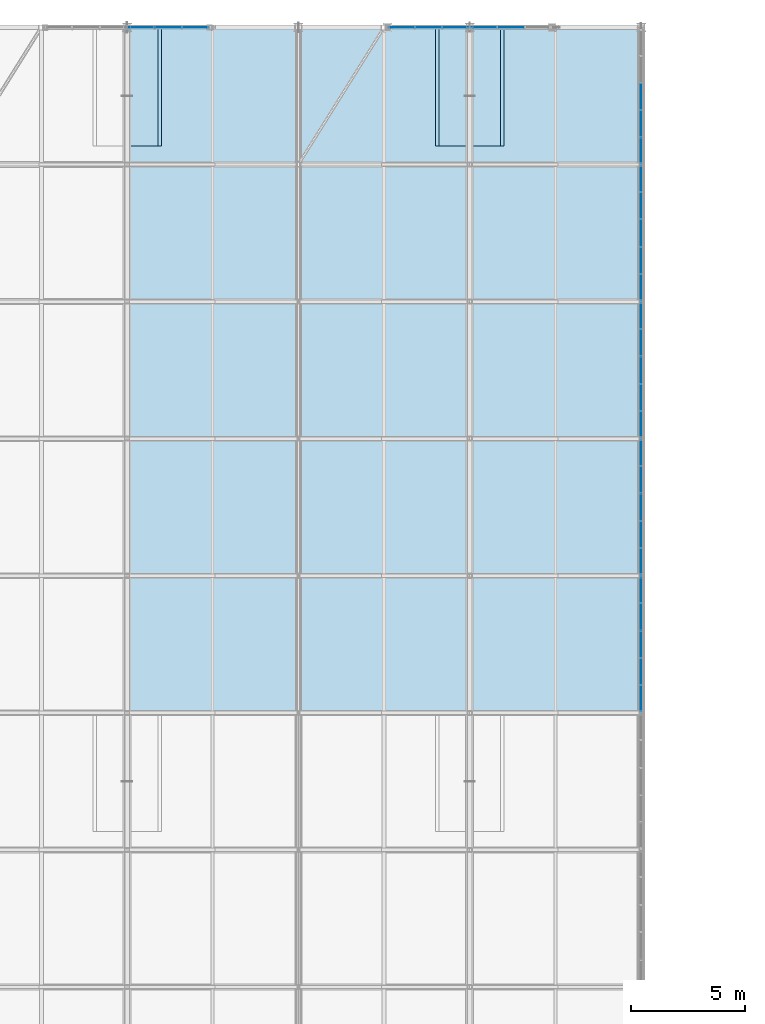
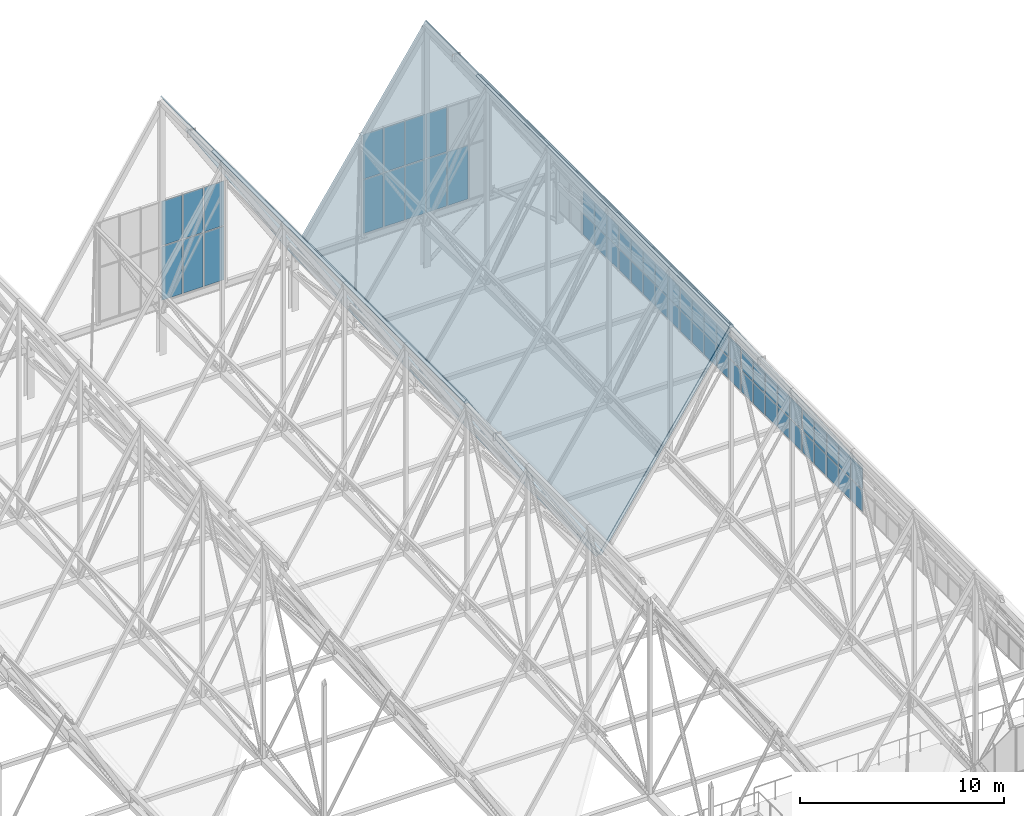
# One storey, part 286 of 324: 64 plates, 3 slabs, 7 elements without a shape of their own.
"""IFC4 building model written with IfcOpenShell, lengths in metres."""

import ifcopenshell
import ifcopenshell.guid

model = None  # the IFC model being written
_history = None  # IfcOwnerHistory: only IFC2X3 demands one
_inside = {}  # id of a spatial element -> (the spatial element, [elements in it])
_under = {}  # id of a project, library or spatial element -> (it, [spatial elements below it])
_declared = {}  # id of a project -> (the project, [libraries it declares])
_typed = {}  # id of a type object -> (the type object, [elements of that type])
_made_of = {}  # id of a material, layer set ... -> (it, [elements and type objects made of it])


def new_model(schema):
    """Start an empty IFC model of exactly this schema.

    Asked for "IFC4X3", IfcOpenShell would pick the latest addendum, in which some entities
    have other attributes; the version numbers below select the first issue.
    IFC2X3 requires an IfcOwnerHistory on every rooted entity: one is made here for all.
    """
    global model, _history
    if schema == "IFC4X3":
        model = ifcopenshell.file(schema_version=(4, 3, 0, 0))
    else:
        model = ifcopenshell.file(schema=schema)
    _inside.clear()
    _under.clear()
    _declared.clear()
    _typed.clear()
    _made_of.clear()
    _history = None
    if model.schema == "IFC2X3":
        org = make("IfcOrganization", Name="unknown")
        user = make(
            "IfcPersonAndOrganization",
            ThePerson=make("IfcPerson", FamilyName="unknown"),
            TheOrganization=org,
        )
        app = make(
            "IfcApplication",
            ApplicationDeveloper=org,
            Version="unknown",
            ApplicationFullName="unknown",
            ApplicationIdentifier="unknown",
        )
        _history = make(
            "IfcOwnerHistory",
            OwningUser=user,
            OwningApplication=app,
            ChangeAction="ADDED",
            CreationDate=0,
        )
    return model


def make(cls, **values):
    """One entity of the class cls with the attributes given. An attribute that is None is left unset."""
    return model.create_entity(
        cls, **{name: value for name, value in values.items() if value is not None}
    )


def rooted(cls, **values):
    """An entity with a GlobalId (a new one), such as an element, a storey or a relation."""
    return make(cls, GlobalId=ifcopenshell.guid.new(), OwnerHistory=_history, **values)


def si_unit(unit_type, name, prefix=None):
    """IfcSIUnit, for example si_unit("LENGTHUNIT", "METRE", prefix="MILLI")."""
    return make("IfcSIUnit", UnitType=unit_type, Prefix=prefix, Name=name)


def assignment(units):
    """IfcUnitAssignment: the units of a project."""
    return None if units is None else make("IfcUnitAssignment", Units=units)


def point(xyz):
    """IfcCartesianPoint."""
    return None if xyz is None else make("IfcCartesianPoint", Coordinates=xyz)


def direction(xyz):
    """IfcDirection."""
    return None if xyz is None else make("IfcDirection", DirectionRatios=xyz)


def frame(location, z_axis=None, x_axis=None):
    """IfcAxis2Placement3D, a coordinate frame: its origin and axes. An axis left out is left unset."""
    return make(
        "IfcAxis2Placement3D",
        Location=point(location),
        Axis=direction(z_axis),
        RefDirection=direction(x_axis),
    )


def frame_2d(location, x_axis=None):
    """IfcAxis2Placement2D, a coordinate frame in the plane: its origin and x axis."""
    return make(
        "IfcAxis2Placement2D", Location=point(location), RefDirection=direction(x_axis)
    )


def origin():
    """The frame at (0, 0, 0) with its axes left unset."""
    return frame((0.0, 0.0, 0.0))


def origin_2d():
    """The frame at (0, 0) in the plane with its x axis left unset."""
    return frame_2d((0.0, 0.0))


def place(relative_to, where):
    """IfcLocalPlacement: puts the frame where relative to a parent placement (None: the world)."""
    return make(
        "IfcLocalPlacement", PlacementRelTo=relative_to, RelativePlacement=where
    )


def context(
    kind, dimensions, precision=None, world=None, true_north=None, identifier=None
):
    """IfcGeometricRepresentationContext, for example the 3D "Model" context."""
    return make(
        "IfcGeometricRepresentationContext",
        ContextIdentifier=identifier,
        ContextType=kind,
        CoordinateSpaceDimension=dimensions,
        Precision=precision,
        WorldCoordinateSystem=world,
        TrueNorth=true_north,
    )


def subcontext(parent, identifier, kind, view, scale=None):
    """IfcGeometricRepresentationSubContext, for example "Body" below "Model"."""
    return make(
        "IfcGeometricRepresentationSubContext",
        ContextIdentifier=identifier,
        ContextType=kind,
        ParentContext=parent,
        TargetScale=scale,
        TargetView=view,
    )


def project(units=None, contexts=None):
    """IfcProject with its units and contexts."""
    return rooted(
        "IfcProject",
        Name="project",
        RepresentationContexts=contexts,
        UnitsInContext=assignment(units),
    )


def spatial(cls, under=None, at=None, **own):
    """A site, building, storey or space (cls), placed at a placement, below another one or the project."""
    s = rooted(cls, ObjectPlacement=at, **own)
    if under is not None:
        _under.setdefault(under.id(), (under, []))[1].append(s)
    return s


def polyline(points):
    """IfcPolyline through the points."""
    return make("IfcPolyline", Points=[point(p) for p in points])


def profile(cls, at=None, kind="AREA", **sizes):
    """A parametric profile (cls). Its sizes go by their IFC names, for example OverallWidth=200.0."""
    return make(cls, ProfileType=kind, Position=at, **sizes)


def rectangle(**sizes):
    """IfcRectangleProfileDef."""
    return profile("IfcRectangleProfileDef", **sizes)


def outline(outer, holes=None, kind="AREA"):
    """IfcArbitraryClosedProfileDef: a profile drawn as a closed curve; with holes, ...WithVoids."""
    if holes is None:
        return make("IfcArbitraryClosedProfileDef", ProfileType=kind, OuterCurve=outer)
    return make(
        "IfcArbitraryProfileDefWithVoids",
        ProfileType=kind,
        OuterCurve=outer,
        InnerCurves=holes,
    )


def extrude(swept, where, along, depth):
    """IfcExtrudedAreaSolid: the profile swept, set in the frame where, extruded along a direction by depth."""
    return make(
        "IfcExtrudedAreaSolid",
        SweptArea=swept,
        Position=where,
        ExtrudedDirection=direction(along),
        Depth=depth,
    )


def shape(context_of_items, identifier, shape_type, items):
    """IfcShapeRepresentation: the items that make up one representation, for example the "Body"."""
    return make(
        "IfcShapeRepresentation",
        ContextOfItems=context_of_items,
        RepresentationIdentifier=identifier,
        RepresentationType=shape_type,
        Items=items,
    )


def material(Name=None, Category=None):
    """IfcMaterial."""
    return make("IfcMaterial", Name=Name, Category=Category)


def layer(
    of_material, thickness, ventilated=None, Name=None, Category=None, Priority=None
):
    """IfcMaterialLayer: one layer of a wall or slab, of a material (None: an air gap)."""
    return make(
        "IfcMaterialLayer",
        Material=of_material,
        LayerThickness=thickness,
        IsVentilated=ventilated,
        Name=Name,
        Category=Category,
        Priority=Priority,
    )


def layer_set(layers, Name=None):
    """IfcMaterialLayerSet."""
    return make("IfcMaterialLayerSet", MaterialLayers=layers, LayerSetName=Name)


def made_of(thing, what):
    """Note that an element or type object is made of a material, layer set ...; save() writes the relation."""
    if what is not None:
        _made_of.setdefault(what.id(), (what, []))[1].append(thing)
    return thing


def type_object(cls, material=None, **own):
    """A type object (cls), such as IfcWallType, which elements share."""
    return made_of(rooted(cls, **own), material)


def element(
    cls,
    number,
    at=None,
    inside=None,
    cuts=None,
    type_object=None,
    material=None,
    context=None,
    identifier="Body",
    shape_type=None,
    held_by="IfcProductDefinitionShape",
    body=None,
    shapes=None,
    **own,
):
    """One element of the class cls, such as IfcWall. Its Tag is "e" and its number.

    at: its placement. inside: the storey or other place that contains it. cuts: it is an
    opening in that element (IfcRelVoidsElement). A single representation is given by context,
    identifier, shape_type and body (its items); several are given by shapes. held_by: the class
    of the entity that holds the representations. save() writes the other relations.
    """
    e = rooted(cls, Tag="e%d" % number, ObjectPlacement=at, **own)
    if body is not None:
        shapes = [shape(context, identifier, shape_type, body)]
    if shapes is not None:
        e.Representation = make(held_by, Representations=shapes)
    if inside is not None:
        _inside.setdefault(inside.id(), (inside, []))[1].append(e)
    if cuts is not None:
        rooted(
            "IfcRelVoidsElement", RelatingBuildingElement=cuts, RelatedOpeningElement=e
        )
    if type_object is not None:
        _typed.setdefault(type_object.id(), (type_object, []))[1].append(e)
    return made_of(e, material)


def aggregate(whole, parts):
    """IfcRelAggregates: a whole, such as a stair, and the parts it consists of."""
    return rooted("IfcRelAggregates", RelatingObject=whole, RelatedObjects=parts)


def save(model, path):
    """Write the relations noted so far, then the file.

    IfcRelAggregates (storeys below a building ...), IfcRelContainedInSpatialStructure (elements
    in a storey), IfcRelDefinesByType, IfcRelAssociatesMaterial and IfcRelDeclares: one each for
    every whole, place, type object, material and project.
    """
    for whole, parts in _under.values():
        aggregate(whole, parts)
    for where, things in _inside.values():
        rooted(
            "IfcRelContainedInSpatialStructure",
            RelatedElements=things,
            RelatingStructure=where,
        )
    for kind, things in _typed.values():
        rooted("IfcRelDefinesByType", RelatedObjects=things, RelatingType=kind)
    for what, things in _made_of.values():
        rooted("IfcRelAssociatesMaterial", RelatedObjects=things, RelatingMaterial=what)
    for by, libraries in _declared.values():
        rooted("IfcRelDeclares", RelatingContext=by, RelatedDefinitions=libraries)
    model.write(path)


model = new_model("IFC4")

# Units and contexts
model_context = context("Model", 3, precision=1e-05, world=origin(), true_north=direction((0.0, 1.0)))
body_context = subcontext(model_context, "Body", "Model", "MODEL_VIEW")
ifc_project = project(units=[si_unit("LENGTHUNIT", "METRE"), si_unit("AREAUNIT", "SQUARE_METRE"), si_unit("VOLUMEUNIT", "CUBIC_METRE"), si_unit("PLANEANGLEUNIT", "RADIAN"), si_unit("MASSUNIT", "GRAM", prefix="KILO")], contexts=[model_context])

# Site, building, storey
site_placement = place(None, origin())
site = spatial("IfcSite", under=ifc_project, at=site_placement, CompositionType="ELEMENT")
building_placement = place(site_placement, origin())
building = spatial("IfcBuilding", under=site, at=building_placement, Name="Solvenia Promenade Tram Depot", CompositionType="ELEMENT")
storey_placement = place(building_placement, frame((0.0, 0.0, 4.5)))
storey = spatial("IfcBuildingStorey", under=building, at=storey_placement, Name="L01", CompositionType="ELEMENT", Elevation=4.5)

# Curtain wall, plates
ifc_material_1 = material(Name="Anodized aluminium AW-6063 T6", Category="aluminium")
ifc_layer_1 = layer(ifc_material_1, 0.159912109375, Name="Anodized aluminium AW-6063 T6", Category="aluminium")
ifc_layer_set_1 = layer_set([ifc_layer_1], Name="Anodized aluminium AW-6063 T6")
curtain_wall_type_1 = type_object("IfcCurtainWallType", Name="CW-Channel-1200", PredefinedType="NOTDEFINED", material=ifc_layer_set_1)
curtain_wall_1_placement = place(storey_placement, origin())
curtain_wall_1 = element("IfcCurtainWall", 1, at=curtain_wall_1_placement, inside=storey, type_object=curtain_wall_type_1, Name="Curtain Wall CW-V1E-06", PredefinedType="NOTDEFINED")
ifc_material_2 = material(Name="Low-iron translucent U-profile channel glass", Category="glass")
ifc_layer_2 = layer(ifc_material_2, 0.028076171875, Name="Low-iron translucent U-profile channel glass", Category="glass")
ifc_layer_set_2 = layer_set([ifc_layer_2], Name="Low-iron translucent U-profile channel glass")
plate_type_1 = type_object("IfcPlateType", Name="CWP-Panel-1", PredefinedType="CURTAIN_PANEL", material=ifc_layer_set_2)
plate_1_placement = place(storey_placement, frame((150.0, 96.613037109375, 0.759765625), z_axis=(0.0, 0.0, 1.0), x_axis=(0.0, 1.0, 0.0)))
plate_1 = element("IfcPlate", 2, at=plate_1_placement, type_object=plate_type_1, Name="CW-1 panel 1.1", PredefinedType="CURTAIN_PANEL", context=body_context, shape_type="SweptSolid", body=[
    extrude(rectangle(XDim=1.1220703125, YDim=0.028076171875, at=origin_2d()), origin(), (0.0, 0.0, 1.0), 1.260009765625),
])
plate_2_placement = place(storey_placement, frame((150.0, 96.613037109375, 2.080078125), z_axis=(0.0, 0.0, 1.0), x_axis=(0.0, 1.0, 0.0)))
plate_2 = element("IfcPlate", 3, at=plate_2_placement, type_object=plate_type_1, Name="CW-1 panel 1.2", PredefinedType="CURTAIN_PANEL", context=body_context, shape_type="SweptSolid", body=[
    extrude(rectangle(XDim=1.1220703125, YDim=0.028076171875, at=origin_2d()), origin(), (0.0, 0.0, 1.0), 1.260009765625),
])
plate_3_placement = place(storey_placement, frame((150.0, 97.800048828125, 0.759765625), z_axis=(0.0, 0.0, 1.0), x_axis=(0.0, 1.0, 0.0)))
plate_3 = element("IfcPlate", 4, at=plate_3_placement, type_object=plate_type_1, Name="CW-1 panel 2.1", PredefinedType="CURTAIN_PANEL", context=body_context, shape_type="SweptSolid", body=[
    extrude(rectangle(XDim=1.14794921875, YDim=0.028076171875, at=origin_2d()), origin(), (0.0, 0.0, 1.0), 1.260009765625),
])
plate_4_placement = place(storey_placement, frame((150.0, 97.800048828125, 2.080078125), z_axis=(0.0, 0.0, 1.0), x_axis=(0.0, 1.0, 0.0)))
plate_4 = element("IfcPlate", 5, at=plate_4_placement, type_object=plate_type_1, Name="CW-1 panel 2.2", PredefinedType="CURTAIN_PANEL", context=body_context, shape_type="SweptSolid", body=[
    extrude(rectangle(XDim=1.14794921875, YDim=0.028076171875, at=origin_2d()), origin(), (0.0, 0.0, 1.0), 1.260009765625),
])
plate_5_placement = place(storey_placement, frame((150.0, 99.0, 0.759765625), z_axis=(0.0, 0.0, 1.0), x_axis=(0.0, 1.0, 0.0)))
plate_5 = element("IfcPlate", 6, at=plate_5_placement, type_object=plate_type_1, Name="CW-1 panel 3.1", PredefinedType="CURTAIN_PANEL", context=body_context, shape_type="SweptSolid", body=[
    extrude(rectangle(XDim=1.14794921875, YDim=0.028076171875, at=origin_2d()), origin(), (0.0, 0.0, 1.0), 1.260009765625),
])
plate_6_placement = place(storey_placement, frame((150.0, 99.0, 2.080078125), z_axis=(0.0, 0.0, 1.0), x_axis=(0.0, 1.0, 0.0)))
plate_6 = element("IfcPlate", 7, at=plate_6_placement, type_object=plate_type_1, Name="CW-1 panel 3.2", PredefinedType="CURTAIN_PANEL", context=body_context, shape_type="SweptSolid", body=[
    extrude(rectangle(XDim=1.14794921875, YDim=0.028076171875, at=origin_2d()), origin(), (0.0, 0.0, 1.0), 1.260009765625),
])
plate_7_placement = place(storey_placement, frame((150.0, 100.199951171875, 0.759765625), z_axis=(0.0, 0.0, 1.0), x_axis=(0.0, 1.0, 0.0)))
plate_7 = element("IfcPlate", 8, at=plate_7_placement, type_object=plate_type_1, Name="CW-1 panel 4.1", PredefinedType="CURTAIN_PANEL", context=body_context, shape_type="SweptSolid", body=[
    extrude(rectangle(XDim=1.14794921875, YDim=0.028076171875, at=origin_2d()), origin(), (0.0, 0.0, 1.0), 1.260009765625),
])
plate_8_placement = place(storey_placement, frame((150.0, 100.199951171875, 2.080078125), z_axis=(0.0, 0.0, 1.0), x_axis=(0.0, 1.0, 0.0)))
plate_8 = element("IfcPlate", 9, at=plate_8_placement, type_object=plate_type_1, Name="CW-1 panel 4.2", PredefinedType="CURTAIN_PANEL", context=body_context, shape_type="SweptSolid", body=[
    extrude(rectangle(XDim=1.14794921875, YDim=0.028076171875, at=origin_2d()), origin(), (0.0, 0.0, 1.0), 1.260009765625),
])
plate_9_placement = place(storey_placement, frame((150.0, 101.386962890625, 0.759765625), z_axis=(0.0, 0.0, 1.0), x_axis=(0.0, 1.0, 0.0)))
plate_9 = element("IfcPlate", 10, at=plate_9_placement, type_object=plate_type_1, Name="CW-1 panel 5.1", PredefinedType="CURTAIN_PANEL", context=body_context, shape_type="SweptSolid", body=[
    extrude(rectangle(XDim=1.1220703125, YDim=0.028076171875, at=origin_2d()), origin(), (0.0, 0.0, 1.0), 1.260009765625),
])
plate_10_placement = place(storey_placement, frame((150.0, 101.386962890625, 2.080078125), z_axis=(0.0, 0.0, 1.0), x_axis=(0.0, 1.0, 0.0)))
plate_10 = element("IfcPlate", 11, at=plate_10_placement, type_object=plate_type_1, Name="CW-1 panel 5.2", PredefinedType="CURTAIN_PANEL", context=body_context, shape_type="SweptSolid", body=[
    extrude(rectangle(XDim=1.1220703125, YDim=0.028076171875, at=origin_2d()), origin(), (0.0, 0.0, 1.0), 1.260009765625),
])
aggregate(curtain_wall_1, [plate_1, plate_2, plate_3, plate_4, plate_5, plate_6, plate_7, plate_8, plate_9, plate_10])

curtain_wall_2_placement = place(storey_placement, origin())
curtain_wall_2 = element("IfcCurtainWall", 12, at=curtain_wall_2_placement, inside=storey, type_object=curtain_wall_type_1, Name="Curtain Wall CW-V1E-07", PredefinedType="NOTDEFINED")
plate_11_placement = place(storey_placement, frame((150.0, 102.613037109375, 0.759765625), z_axis=(0.0, 0.0, 1.0), x_axis=(0.0, 1.0, 0.0)))
plate_11 = element("IfcPlate", 13, at=plate_11_placement, type_object=plate_type_1, Name="CW-1 panel 1.1", PredefinedType="CURTAIN_PANEL", context=body_context, shape_type="SweptSolid", body=[
    extrude(rectangle(XDim=1.1220703125, YDim=0.028076171875, at=origin_2d()), origin(), (0.0, 0.0, 1.0), 1.260009765625),
])
plate_12_placement = place(storey_placement, frame((150.0, 102.613037109375, 2.080078125), z_axis=(0.0, 0.0, 1.0), x_axis=(0.0, 1.0, 0.0)))
plate_12 = element("IfcPlate", 14, at=plate_12_placement, type_object=plate_type_1, Name="CW-1 panel 1.2", PredefinedType="CURTAIN_PANEL", context=body_context, shape_type="SweptSolid", body=[
    extrude(rectangle(XDim=1.1220703125, YDim=0.028076171875, at=origin_2d()), origin(), (0.0, 0.0, 1.0), 1.260009765625),
])
plate_13_placement = place(storey_placement, frame((150.0, 103.800048828125, 0.759765625), z_axis=(0.0, 0.0, 1.0), x_axis=(0.0, 1.0, 0.0)))
plate_13 = element("IfcPlate", 15, at=plate_13_placement, type_object=plate_type_1, Name="CW-1 panel 2.1", PredefinedType="CURTAIN_PANEL", context=body_context, shape_type="SweptSolid", body=[
    extrude(rectangle(XDim=1.14794921875, YDim=0.028076171875, at=origin_2d()), origin(), (0.0, 0.0, 1.0), 1.260009765625),
])
plate_14_placement = place(storey_placement, frame((150.0, 103.800048828125, 2.080078125), z_axis=(0.0, 0.0, 1.0), x_axis=(0.0, 1.0, 0.0)))
plate_14 = element("IfcPlate", 16, at=plate_14_placement, type_object=plate_type_1, Name="CW-1 panel 2.2", PredefinedType="CURTAIN_PANEL", context=body_context, shape_type="SweptSolid", body=[
    extrude(rectangle(XDim=1.14794921875, YDim=0.028076171875, at=origin_2d()), origin(), (0.0, 0.0, 1.0), 1.260009765625),
])
plate_15_placement = place(storey_placement, frame((150.0, 105.0, 0.759765625), z_axis=(0.0, 0.0, 1.0), x_axis=(0.0, 1.0, 0.0)))
plate_15 = element("IfcPlate", 17, at=plate_15_placement, type_object=plate_type_1, Name="CW-1 panel 3.1", PredefinedType="CURTAIN_PANEL", context=body_context, shape_type="SweptSolid", body=[
    extrude(rectangle(XDim=1.14794921875, YDim=0.028076171875, at=origin_2d()), origin(), (0.0, 0.0, 1.0), 1.260009765625),
])
plate_16_placement = place(storey_placement, frame((150.0, 105.0, 2.080078125), z_axis=(0.0, 0.0, 1.0), x_axis=(0.0, 1.0, 0.0)))
plate_16 = element("IfcPlate", 18, at=plate_16_placement, type_object=plate_type_1, Name="CW-1 panel 3.2", PredefinedType="CURTAIN_PANEL", context=body_context, shape_type="SweptSolid", body=[
    extrude(rectangle(XDim=1.14794921875, YDim=0.028076171875, at=origin_2d()), origin(), (0.0, 0.0, 1.0), 1.260009765625),
])
plate_17_placement = place(storey_placement, frame((150.0, 106.199951171875, 0.759765625), z_axis=(0.0, 0.0, 1.0), x_axis=(0.0, 1.0, 0.0)))
plate_17 = element("IfcPlate", 19, at=plate_17_placement, type_object=plate_type_1, Name="CW-1 panel 4.1", PredefinedType="CURTAIN_PANEL", context=body_context, shape_type="SweptSolid", body=[
    extrude(rectangle(XDim=1.14794921875, YDim=0.028076171875, at=origin_2d()), origin(), (0.0, 0.0, 1.0), 1.260009765625),
])
plate_18_placement = place(storey_placement, frame((150.0, 106.199951171875, 2.080078125), z_axis=(0.0, 0.0, 1.0), x_axis=(0.0, 1.0, 0.0)))
plate_18 = element("IfcPlate", 20, at=plate_18_placement, type_object=plate_type_1, Name="CW-1 panel 4.2", PredefinedType="CURTAIN_PANEL", context=body_context, shape_type="SweptSolid", body=[
    extrude(rectangle(XDim=1.14794921875, YDim=0.028076171875, at=origin_2d()), origin(), (0.0, 0.0, 1.0), 1.260009765625),
])
plate_19_placement = place(storey_placement, frame((150.0, 107.386962890625, 0.759765625), z_axis=(0.0, 0.0, 1.0), x_axis=(0.0, 1.0, 0.0)))
plate_19 = element("IfcPlate", 21, at=plate_19_placement, type_object=plate_type_1, Name="CW-1 panel 5.1", PredefinedType="CURTAIN_PANEL", context=body_context, shape_type="SweptSolid", body=[
    extrude(rectangle(XDim=1.1220703125, YDim=0.028076171875, at=origin_2d()), origin(), (0.0, 0.0, 1.0), 1.260009765625),
])
plate_20_placement = place(storey_placement, frame((150.0, 107.386962890625, 2.080078125), z_axis=(0.0, 0.0, 1.0), x_axis=(0.0, 1.0, 0.0)))
plate_20 = element("IfcPlate", 22, at=plate_20_placement, type_object=plate_type_1, Name="CW-1 panel 5.2", PredefinedType="CURTAIN_PANEL", context=body_context, shape_type="SweptSolid", body=[
    extrude(rectangle(XDim=1.1220703125, YDim=0.028076171875, at=origin_2d()), origin(), (0.0, 0.0, 1.0), 1.260009765625),
])
aggregate(curtain_wall_2, [plate_11, plate_12, plate_13, plate_14, plate_15, plate_16, plate_17, plate_18, plate_19, plate_20])

curtain_wall_3_placement = place(storey_placement, origin())
curtain_wall_3 = element("IfcCurtainWall", 23, at=curtain_wall_3_placement, inside=storey, type_object=curtain_wall_type_1, Name="Curtain Wall CW-V1E-08", PredefinedType="NOTDEFINED")
plate_21_placement = place(storey_placement, frame((150.0, 108.613037109375, 0.759765625), z_axis=(0.0, 0.0, 1.0), x_axis=(0.0, 1.0, 0.0)))
plate_21 = element("IfcPlate", 24, at=plate_21_placement, type_object=plate_type_1, Name="CW-1 panel 1.1", PredefinedType="CURTAIN_PANEL", context=body_context, shape_type="SweptSolid", body=[
    extrude(rectangle(XDim=1.1220703125, YDim=0.028076171875, at=origin_2d()), origin(), (0.0, 0.0, 1.0), 1.260009765625),
])
plate_22_placement = place(storey_placement, frame((150.0, 108.613037109375, 2.080078125), z_axis=(0.0, 0.0, 1.0), x_axis=(0.0, 1.0, 0.0)))
plate_22 = element("IfcPlate", 25, at=plate_22_placement, type_object=plate_type_1, Name="CW-1 panel 1.2", PredefinedType="CURTAIN_PANEL", context=body_context, shape_type="SweptSolid", body=[
    extrude(rectangle(XDim=1.1220703125, YDim=0.028076171875, at=origin_2d()), origin(), (0.0, 0.0, 1.0), 1.260009765625),
])
plate_23_placement = place(storey_placement, frame((150.0, 109.800048828125, 0.759765625), z_axis=(0.0, 0.0, 1.0), x_axis=(0.0, 1.0, 0.0)))
plate_23 = element("IfcPlate", 26, at=plate_23_placement, type_object=plate_type_1, Name="CW-1 panel 2.1", PredefinedType="CURTAIN_PANEL", context=body_context, shape_type="SweptSolid", body=[
    extrude(rectangle(XDim=1.14794921875, YDim=0.028076171875, at=origin_2d()), origin(), (0.0, 0.0, 1.0), 1.260009765625),
])
plate_24_placement = place(storey_placement, frame((150.0, 109.800048828125, 2.080078125), z_axis=(0.0, 0.0, 1.0), x_axis=(0.0, 1.0, 0.0)))
plate_24 = element("IfcPlate", 27, at=plate_24_placement, type_object=plate_type_1, Name="CW-1 panel 2.2", PredefinedType="CURTAIN_PANEL", context=body_context, shape_type="SweptSolid", body=[
    extrude(rectangle(XDim=1.14794921875, YDim=0.028076171875, at=origin_2d()), origin(), (0.0, 0.0, 1.0), 1.260009765625),
])
plate_25_placement = place(storey_placement, frame((150.0, 111.0, 0.759765625), z_axis=(0.0, 0.0, 1.0), x_axis=(0.0, 1.0, 0.0)))
plate_25 = element("IfcPlate", 28, at=plate_25_placement, type_object=plate_type_1, Name="CW-1 panel 3.1", PredefinedType="CURTAIN_PANEL", context=body_context, shape_type="SweptSolid", body=[
    extrude(rectangle(XDim=1.14794921875, YDim=0.028076171875, at=origin_2d()), origin(), (0.0, 0.0, 1.0), 1.260009765625),
])
plate_26_placement = place(storey_placement, frame((150.0, 111.0, 2.080078125), z_axis=(0.0, 0.0, 1.0), x_axis=(0.0, 1.0, 0.0)))
plate_26 = element("IfcPlate", 29, at=plate_26_placement, type_object=plate_type_1, Name="CW-1 panel 3.2", PredefinedType="CURTAIN_PANEL", context=body_context, shape_type="SweptSolid", body=[
    extrude(rectangle(XDim=1.14794921875, YDim=0.028076171875, at=origin_2d()), origin(), (0.0, 0.0, 1.0), 1.260009765625),
])
plate_27_placement = place(storey_placement, frame((150.0, 112.199951171875, 0.759765625), z_axis=(0.0, 0.0, 1.0), x_axis=(0.0, 1.0, 0.0)))
plate_27 = element("IfcPlate", 30, at=plate_27_placement, type_object=plate_type_1, Name="CW-1 panel 4.1", PredefinedType="CURTAIN_PANEL", context=body_context, shape_type="SweptSolid", body=[
    extrude(rectangle(XDim=1.14794921875, YDim=0.028076171875, at=origin_2d()), origin(), (0.0, 0.0, 1.0), 1.260009765625),
])
plate_28_placement = place(storey_placement, frame((150.0, 112.199951171875, 2.080078125), z_axis=(0.0, 0.0, 1.0), x_axis=(0.0, 1.0, 0.0)))
plate_28 = element("IfcPlate", 31, at=plate_28_placement, type_object=plate_type_1, Name="CW-1 panel 4.2", PredefinedType="CURTAIN_PANEL", context=body_context, shape_type="SweptSolid", body=[
    extrude(rectangle(XDim=1.14794921875, YDim=0.028076171875, at=origin_2d()), origin(), (0.0, 0.0, 1.0), 1.260009765625),
])
plate_29_placement = place(storey_placement, frame((150.0, 113.386962890625, 0.759765625), z_axis=(0.0, 0.0, 1.0), x_axis=(0.0, 1.0, 0.0)))
plate_29 = element("IfcPlate", 32, at=plate_29_placement, type_object=plate_type_1, Name="CW-1 panel 5.1", PredefinedType="CURTAIN_PANEL", context=body_context, shape_type="SweptSolid", body=[
    extrude(rectangle(XDim=1.1220703125, YDim=0.028076171875, at=origin_2d()), origin(), (0.0, 0.0, 1.0), 1.260009765625),
])
plate_30_placement = place(storey_placement, frame((150.0, 113.386962890625, 2.080078125), z_axis=(0.0, 0.0, 1.0), x_axis=(0.0, 1.0, 0.0)))
plate_30 = element("IfcPlate", 33, at=plate_30_placement, type_object=plate_type_1, Name="CW-1 panel 5.2", PredefinedType="CURTAIN_PANEL", context=body_context, shape_type="SweptSolid", body=[
    extrude(rectangle(XDim=1.1220703125, YDim=0.028076171875, at=origin_2d()), origin(), (0.0, 0.0, 1.0), 1.260009765625),
])
aggregate(curtain_wall_3, [plate_21, plate_22, plate_23, plate_24, plate_25, plate_26, plate_27, plate_28, plate_29, plate_30])

curtain_wall_4_placement = place(storey_placement, origin())
curtain_wall_4 = element("IfcCurtainWall", 34, at=curtain_wall_4_placement, inside=storey, type_object=curtain_wall_type_1, Name="Curtain Wall CW-V1E-09", PredefinedType="NOTDEFINED")
plate_31_placement = place(storey_placement, frame((150.0, 114.613037109375, 0.759765625), z_axis=(0.0, 0.0, 1.0), x_axis=(0.0, 1.0, 0.0)))
plate_31 = element("IfcPlate", 35, at=plate_31_placement, type_object=plate_type_1, Name="CW-1 panel 1.1", PredefinedType="CURTAIN_PANEL", context=body_context, shape_type="SweptSolid", body=[
    extrude(rectangle(XDim=1.1220703125, YDim=0.028076171875, at=origin_2d()), origin(), (0.0, 0.0, 1.0), 1.260009765625),
])
plate_32_placement = place(storey_placement, frame((150.0, 114.613037109375, 2.080078125), z_axis=(0.0, 0.0, 1.0), x_axis=(0.0, 1.0, 0.0)))
plate_32 = element("IfcPlate", 36, at=plate_32_placement, type_object=plate_type_1, Name="CW-1 panel 1.2", PredefinedType="CURTAIN_PANEL", context=body_context, shape_type="SweptSolid", body=[
    extrude(rectangle(XDim=1.1220703125, YDim=0.028076171875, at=origin_2d()), origin(), (0.0, 0.0, 1.0), 1.260009765625),
])
plate_33_placement = place(storey_placement, frame((150.0, 115.800048828125, 0.759765625), z_axis=(0.0, 0.0, 1.0), x_axis=(0.0, 1.0, 0.0)))
plate_33 = element("IfcPlate", 37, at=plate_33_placement, type_object=plate_type_1, Name="CW-1 panel 2.1", PredefinedType="CURTAIN_PANEL", context=body_context, shape_type="SweptSolid", body=[
    extrude(rectangle(XDim=1.14794921875, YDim=0.028076171875, at=origin_2d()), origin(), (0.0, 0.0, 1.0), 1.260009765625),
])
plate_34_placement = place(storey_placement, frame((150.0, 115.800048828125, 2.080078125), z_axis=(0.0, 0.0, 1.0), x_axis=(0.0, 1.0, 0.0)))
plate_34 = element("IfcPlate", 38, at=plate_34_placement, type_object=plate_type_1, Name="CW-1 panel 2.2", PredefinedType="CURTAIN_PANEL", context=body_context, shape_type="SweptSolid", body=[
    extrude(rectangle(XDim=1.14794921875, YDim=0.028076171875, at=origin_2d()), origin(), (0.0, 0.0, 1.0), 1.260009765625),
])
plate_35_placement = place(storey_placement, frame((150.0, 117.0, 0.759765625), z_axis=(0.0, 0.0, 1.0), x_axis=(0.0, 1.0, 0.0)))
plate_35 = element("IfcPlate", 39, at=plate_35_placement, type_object=plate_type_1, Name="CW-1 panel 3.1", PredefinedType="CURTAIN_PANEL", context=body_context, shape_type="SweptSolid", body=[
    extrude(rectangle(XDim=1.14794921875, YDim=0.028076171875, at=origin_2d()), origin(), (0.0, 0.0, 1.0), 1.260009765625),
])
plate_36_placement = place(storey_placement, frame((150.0, 117.0, 2.080078125), z_axis=(0.0, 0.0, 1.0), x_axis=(0.0, 1.0, 0.0)))
plate_36 = element("IfcPlate", 40, at=plate_36_placement, type_object=plate_type_1, Name="CW-1 panel 3.2", PredefinedType="CURTAIN_PANEL", context=body_context, shape_type="SweptSolid", body=[
    extrude(rectangle(XDim=1.14794921875, YDim=0.028076171875, at=origin_2d()), origin(), (0.0, 0.0, 1.0), 1.260009765625),
])
plate_37_placement = place(storey_placement, frame((150.0, 118.199951171875, 0.759765625), z_axis=(0.0, 0.0, 1.0), x_axis=(0.0, 1.0, 0.0)))
plate_37 = element("IfcPlate", 41, at=plate_37_placement, type_object=plate_type_1, Name="CW-1 panel 4.1", PredefinedType="CURTAIN_PANEL", context=body_context, shape_type="SweptSolid", body=[
    extrude(rectangle(XDim=1.14794921875, YDim=0.028076171875, at=origin_2d()), origin(), (0.0, 0.0, 1.0), 1.260009765625),
])
plate_38_placement = place(storey_placement, frame((150.0, 118.199951171875, 2.080078125), z_axis=(0.0, 0.0, 1.0), x_axis=(0.0, 1.0, 0.0)))
plate_38 = element("IfcPlate", 42, at=plate_38_placement, type_object=plate_type_1, Name="CW-1 panel 4.2", PredefinedType="CURTAIN_PANEL", context=body_context, shape_type="SweptSolid", body=[
    extrude(rectangle(XDim=1.14794921875, YDim=0.028076171875, at=origin_2d()), origin(), (0.0, 0.0, 1.0), 1.260009765625),
])
plate_39_placement = place(storey_placement, frame((150.0, 119.386962890625, 0.759765625), z_axis=(0.0, 0.0, 1.0), x_axis=(0.0, 1.0, 0.0)))
plate_39 = element("IfcPlate", 43, at=plate_39_placement, type_object=plate_type_1, Name="CW-1 panel 5.1", PredefinedType="CURTAIN_PANEL", context=body_context, shape_type="SweptSolid", body=[
    extrude(rectangle(XDim=1.1220703125, YDim=0.028076171875, at=origin_2d()), origin(), (0.0, 0.0, 1.0), 1.260009765625),
])
plate_40_placement = place(storey_placement, frame((150.0, 119.386962890625, 2.080078125), z_axis=(0.0, 0.0, 1.0), x_axis=(0.0, 1.0, 0.0)))
plate_40 = element("IfcPlate", 44, at=plate_40_placement, type_object=plate_type_1, Name="CW-1 panel 5.2", PredefinedType="CURTAIN_PANEL", context=body_context, shape_type="SweptSolid", body=[
    extrude(rectangle(XDim=1.1220703125, YDim=0.028076171875, at=origin_2d()), origin(), (0.0, 0.0, 1.0), 1.260009765625),
])
aggregate(curtain_wall_4, [plate_31, plate_32, plate_33, plate_34, plate_35, plate_36, plate_37, plate_38, plate_39, plate_40])

ifc_layer_3 = layer(ifc_material_1, 0.14990234375, Name="Anodized aluminium AW-6063 T6", Category="aluminium")
ifc_layer_set_3 = layer_set([ifc_layer_3], Name="Anodized aluminium AW-6063 T6")
curtain_wall_type_2 = type_object("IfcCurtainWallType", Name="CW-Gable-1200", PredefinedType="NOTDEFINED", material=ifc_layer_set_3)
curtain_wall_5_placement = place(storey_placement, origin())
curtain_wall_5 = element("IfcCurtainWall", 45, at=curtain_wall_5_placement, inside=storey, type_object=curtain_wall_type_2, Name="North Zigzag Gable 09 Peak Glazing", PredefinedType="NOTDEFINED")
plate_41_placement = place(storey_placement, frame((128.10009765625, 126.0, 3.157958984375), z_axis=(0.0, 0.0, 1.0), x_axis=(1.0, 0.0, 0.0)))
plate_41 = element("IfcPlate", 46, at=plate_41_placement, type_object=plate_type_1, Name="CW-3 panel 4.1", PredefinedType="CURTAIN_PANEL", context=body_context, shape_type="SweptSolid", body=[
    extrude(rectangle(XDim=1.152099609375, YDim=0.028076171875, at=origin_2d()), origin(), (0.0, 0.0, 1.0), 3.212890625),
])
plate_42_placement = place(storey_placement, frame((128.10009765625, 126.0, 6.428955078125), z_axis=(0.0, 0.0, 1.0), x_axis=(1.0, 0.0, 0.0)))
plate_42 = element("IfcPlate", 47, at=plate_42_placement, type_object=plate_type_1, Name="CW-3 panel 4.2", PredefinedType="CURTAIN_PANEL", context=body_context, shape_type="SweptSolid", body=[
    extrude(rectangle(XDim=1.152099609375, YDim=0.028076171875, at=origin_2d()), origin(), (0.0, 0.0, 1.0), 2.6630859375),
])
plate_43_placement = place(storey_placement, frame((129.300048828125, 126.0, 3.157958984375), z_axis=(0.0, 0.0, 1.0), x_axis=(1.0, 0.0, 0.0)))
plate_43 = element("IfcPlate", 48, at=plate_43_placement, type_object=plate_type_1, Name="CW-3 panel 5.1", PredefinedType="CURTAIN_PANEL", context=body_context, shape_type="SweptSolid", body=[
    extrude(rectangle(XDim=1.152099609375, YDim=0.028076171875, at=origin_2d()), origin(), (0.0, 0.0, 1.0), 3.212890625),
])
plate_44_placement = place(storey_placement, frame((129.300048828125, 126.0, 6.428955078125), z_axis=(0.0, 0.0, 1.0), x_axis=(1.0, 0.0, 0.0)))
plate_44 = element("IfcPlate", 49, at=plate_44_placement, type_object=plate_type_1, Name="CW-3 panel 5.2", PredefinedType="CURTAIN_PANEL", context=body_context, shape_type="SweptSolid", body=[
    extrude(rectangle(XDim=1.152099609375, YDim=0.028076171875, at=origin_2d()), origin(), (0.0, 0.0, 1.0), 2.6630859375),
])
plate_45_placement = place(storey_placement, frame((130.488037109375, 126.0, 3.157958984375), z_axis=(0.0, 0.0, 1.0), x_axis=(1.0, 0.0, 0.0)))
plate_45 = element("IfcPlate", 50, at=plate_45_placement, type_object=plate_type_1, Name="CW-3 panel 6.1", PredefinedType="CURTAIN_PANEL", context=body_context, shape_type="SweptSolid", body=[
    extrude(rectangle(XDim=1.1279296875, YDim=0.028076171875, at=origin_2d()), origin(), (0.0, 0.0, 1.0), 3.212890625),
])
plate_46_placement = place(storey_placement, frame((130.488037109375, 126.0, 6.428955078125), z_axis=(0.0, 0.0, 1.0), x_axis=(1.0, 0.0, 0.0)))
plate_46 = element("IfcPlate", 51, at=plate_46_placement, type_object=plate_type_1, Name="CW-3 panel 6.2", PredefinedType="CURTAIN_PANEL", context=body_context, shape_type="SweptSolid", body=[
    extrude(rectangle(XDim=1.1279296875, YDim=0.028076171875, at=origin_2d()), origin(), (0.0, 0.0, 1.0), 2.6630859375),
])
aggregate(curtain_wall_5, [plate_41, plate_42, plate_43, plate_44, plate_45, plate_46])

curtain_wall_6_placement = place(storey_placement, origin())
curtain_wall_6 = element("IfcCurtainWall", 52, at=curtain_wall_6_placement, inside=storey, type_object=curtain_wall_type_1, Name="Curtain Wall CW-V1E-10", PredefinedType="NOTDEFINED")
plate_47_placement = place(storey_placement, frame((150.0, 120.60498046875, 0.759765625), z_axis=(0.0, 0.0, 1.0), x_axis=(0.0, 1.0, 0.0)))
plate_47 = element("IfcPlate", 53, at=plate_47_placement, type_object=plate_type_1, Name="CW-1 panel 1.1", PredefinedType="CURTAIN_PANEL", context=body_context, shape_type="SweptSolid", body=[
    extrude(rectangle(XDim=1.10595703125, YDim=0.028076171875, at=origin_2d()), origin(), (0.0, 0.0, 1.0), 1.260009765625),
])
plate_48_placement = place(storey_placement, frame((150.0, 120.60498046875, 2.080078125), z_axis=(0.0, 0.0, 1.0), x_axis=(0.0, 1.0, 0.0)))
plate_48 = element("IfcPlate", 54, at=plate_48_placement, type_object=plate_type_1, Name="CW-1 panel 1.2", PredefinedType="CURTAIN_PANEL", context=body_context, shape_type="SweptSolid", body=[
    extrude(rectangle(XDim=1.10595703125, YDim=0.028076171875, at=origin_2d()), origin(), (0.0, 0.0, 1.0), 1.260009765625),
])
plate_49_placement = place(storey_placement, frame((150.0, 121.77587890625, 0.759765625), z_axis=(0.0, 0.0, 1.0), x_axis=(0.0, 1.0, 0.0)))
plate_49 = element("IfcPlate", 55, at=plate_49_placement, type_object=plate_type_1, Name="CW-1 panel 2.1", PredefinedType="CURTAIN_PANEL", context=body_context, shape_type="SweptSolid", body=[
    extrude(rectangle(XDim=1.132080078125, YDim=0.028076171875, at=origin_2d()), origin(), (0.0, 0.0, 1.0), 1.260009765625),
])
plate_50_placement = place(storey_placement, frame((150.0, 121.77587890625, 2.080078125), z_axis=(0.0, 0.0, 1.0), x_axis=(0.0, 1.0, 0.0)))
plate_50 = element("IfcPlate", 56, at=plate_50_placement, type_object=plate_type_1, Name="CW-1 panel 2.2", PredefinedType="CURTAIN_PANEL", context=body_context, shape_type="SweptSolid", body=[
    extrude(rectangle(XDim=1.132080078125, YDim=0.028076171875, at=origin_2d()), origin(), (0.0, 0.0, 1.0), 1.260009765625),
])
plate_51_placement = place(storey_placement, frame((150.0, 122.9599609375, 0.759765625), z_axis=(0.0, 0.0, 1.0), x_axis=(0.0, 1.0, 0.0)))
plate_51 = element("IfcPlate", 57, at=plate_51_placement, type_object=plate_type_1, Name="CW-1 panel 3.1", PredefinedType="CURTAIN_PANEL", context=body_context, shape_type="SweptSolid", body=[
    extrude(rectangle(XDim=1.132080078125, YDim=0.028076171875, at=origin_2d()), origin(), (0.0, 0.0, 1.0), 1.260009765625),
])
plate_52_placement = place(storey_placement, frame((150.0, 122.9599609375, 2.080078125), z_axis=(0.0, 0.0, 1.0), x_axis=(0.0, 1.0, 0.0)))
plate_52 = element("IfcPlate", 58, at=plate_52_placement, type_object=plate_type_1, Name="CW-1 panel 3.2", PredefinedType="CURTAIN_PANEL", context=body_context, shape_type="SweptSolid", body=[
    extrude(rectangle(XDim=1.132080078125, YDim=0.028076171875, at=origin_2d()), origin(), (0.0, 0.0, 1.0), 1.260009765625),
])
aggregate(curtain_wall_6, [plate_47, plate_48, plate_49, plate_50, plate_51, plate_52])

curtain_wall_7_placement = place(storey_placement, origin())
curtain_wall_7 = element("IfcCurtainWall", 59, at=curtain_wall_7_placement, inside=storey, type_object=curtain_wall_type_2, Name="North Zigzag Gable 10 Peak Glazing", PredefinedType="NOTDEFINED")
plate_53_placement = place(storey_placement, frame((139.511962890625, 126.0, 3.157958984375), z_axis=(0.0, 0.0, 1.0), x_axis=(1.0, 0.0, 0.0)))
plate_53 = element("IfcPlate", 60, at=plate_53_placement, type_object=plate_type_1, Name="CW-3 panel 1.1", PredefinedType="CURTAIN_PANEL", context=body_context, shape_type="SweptSolid", body=[
    extrude(rectangle(XDim=1.1279296875, YDim=0.028076171875, at=origin_2d()), origin(), (0.0, 0.0, 1.0), 3.212890625),
])
plate_54_placement = place(storey_placement, frame((139.511962890625, 126.0, 6.428955078125), z_axis=(0.0, 0.0, 1.0), x_axis=(1.0, 0.0, 0.0)))
plate_54 = element("IfcPlate", 61, at=plate_54_placement, type_object=plate_type_1, Name="CW-3 panel 1.2", PredefinedType="CURTAIN_PANEL", context=body_context, shape_type="SweptSolid", body=[
    extrude(rectangle(XDim=1.1279296875, YDim=0.028076171875, at=origin_2d()), origin(), (0.0, 0.0, 1.0), 2.6630859375),
])
plate_55_placement = place(storey_placement, frame((140.699951171875, 126.0, 3.157958984375), z_axis=(0.0, 0.0, 1.0), x_axis=(1.0, 0.0, 0.0)))
plate_55 = element("IfcPlate", 62, at=plate_55_placement, type_object=plate_type_1, Name="CW-3 panel 2.1", PredefinedType="CURTAIN_PANEL", context=body_context, shape_type="SweptSolid", body=[
    extrude(rectangle(XDim=1.152099609375, YDim=0.028076171875, at=origin_2d()), origin(), (0.0, 0.0, 1.0), 3.212890625),
])
plate_56_placement = place(storey_placement, frame((140.699951171875, 126.0, 6.428955078125), z_axis=(0.0, 0.0, 1.0), x_axis=(1.0, 0.0, 0.0)))
plate_56 = element("IfcPlate", 63, at=plate_56_placement, type_object=plate_type_1, Name="CW-3 panel 2.2", PredefinedType="CURTAIN_PANEL", context=body_context, shape_type="SweptSolid", body=[
    extrude(rectangle(XDim=1.152099609375, YDim=0.028076171875, at=origin_2d()), origin(), (0.0, 0.0, 1.0), 2.6630859375),
])
plate_57_placement = place(storey_placement, frame((141.89990234375, 126.0, 3.157958984375), z_axis=(0.0, 0.0, 1.0), x_axis=(1.0, 0.0, 0.0)))
plate_57 = element("IfcPlate", 64, at=plate_57_placement, type_object=plate_type_1, Name="CW-3 panel 3.1", PredefinedType="CURTAIN_PANEL", context=body_context, shape_type="SweptSolid", body=[
    extrude(rectangle(XDim=1.152099609375, YDim=0.028076171875, at=origin_2d()), origin(), (0.0, 0.0, 1.0), 3.212890625),
])
plate_58_placement = place(storey_placement, frame((141.89990234375, 126.0, 6.428955078125), z_axis=(0.0, 0.0, 1.0), x_axis=(1.0, 0.0, 0.0)))
plate_58 = element("IfcPlate", 65, at=plate_58_placement, type_object=plate_type_1, Name="CW-3 panel 3.2", PredefinedType="CURTAIN_PANEL", context=body_context, shape_type="SweptSolid", body=[
    extrude(rectangle(XDim=1.152099609375, YDim=0.028076171875, at=origin_2d()), origin(), (0.0, 0.0, 1.0), 2.6630859375),
])
plate_59_placement = place(storey_placement, frame((143.10009765625, 126.0, 3.157958984375), z_axis=(0.0, 0.0, 1.0), x_axis=(1.0, 0.0, 0.0)))
plate_59 = element("IfcPlate", 66, at=plate_59_placement, type_object=plate_type_1, Name="CW-3 panel 4.1", PredefinedType="CURTAIN_PANEL", context=body_context, shape_type="SweptSolid", body=[
    extrude(rectangle(XDim=1.152099609375, YDim=0.028076171875, at=origin_2d()), origin(), (0.0, 0.0, 1.0), 3.212890625),
])
plate_60_placement = place(storey_placement, frame((143.10009765625, 126.0, 6.428955078125), z_axis=(0.0, 0.0, 1.0), x_axis=(1.0, 0.0, 0.0)))
plate_60 = element("IfcPlate", 67, at=plate_60_placement, type_object=plate_type_1, Name="CW-3 panel 4.2", PredefinedType="CURTAIN_PANEL", context=body_context, shape_type="SweptSolid", body=[
    extrude(rectangle(XDim=1.152099609375, YDim=0.028076171875, at=origin_2d()), origin(), (0.0, 0.0, 1.0), 2.6630859375),
])
plate_61_placement = place(storey_placement, frame((144.300048828125, 126.0, 3.157958984375), z_axis=(0.0, 0.0, 1.0), x_axis=(1.0, 0.0, 0.0)))
plate_61 = element("IfcPlate", 68, at=plate_61_placement, type_object=plate_type_1, Name="CW-3 panel 5.1", PredefinedType="CURTAIN_PANEL", context=body_context, shape_type="SweptSolid", body=[
    extrude(rectangle(XDim=1.152099609375, YDim=0.028076171875, at=origin_2d()), origin(), (0.0, 0.0, 1.0), 3.212890625),
])
aggregate(curtain_wall_7, [plate_53, plate_54, plate_55, plate_56, plate_57, plate_58, plate_59, plate_60, plate_61])

# Plates
ifc_material_3 = material(Name="Translucent multi-wall insulated polycarbonate cassette", Category="other")
ifc_layer_4 = layer(ifc_material_3, 0.0419921875, Name="Translucent multi-wall insulated polycarbonate cassette", Category="other")
ifc_layer_set_4 = layer_set([ifc_layer_4], Name="Translucent multi-wall insulated polycarbonate cassette")
plate_type_2 = type_object("IfcPlateType", Name="DaylightCassette-1", PredefinedType="SHEET", material=ifc_layer_set_4)
plate_62_placement = place(storey_placement, frame((127.5, 96.0, 15.431884765625), z_axis=(0.845790850581, 0.0, 0.533514608116), x_axis=(0.0, 1.0, 0.0)))
element("IfcPlate", 69, at=plate_62_placement, inside=storey, type_object=plate_type_2, Name="Insulated Daylight Gable 09 East Skylight Cladding 2", PredefinedType="SHEET", context=body_context, shape_type="SweptSolid", body=[
    extrude(outline(polyline([(0.0, 0.0), (30.0, 0.0), (30.0, -14.057721917841167), (0.0, -14.057721917841167), (0.0, 0.0)])), origin(), (0.0, 0.0, -1.0), 0.0419921875),
])
for number, where, z_axis, x_axis, name in (
    (70, (135.0, 96.0, 3.5419921875), (-0.830332770175, 0.0, 0.557267880623), (0.0, 1.0, 0.0), "Insulated Daylight Gable 10 West Skylight Cladding 2"),
    (71, (142.5, 96.0, 14.717041015625), (0.830332770175, 0.0, 0.557267880623), (0.0, 1.0, 0.0), "Insulated Daylight Gable 10 East Skylight Cladding 2"),
):
    element("IfcPlate", number, at=place(storey_placement, frame(where, z_axis=z_axis, x_axis=x_axis)), inside=storey, type_object=plate_type_2, Name=name, PredefinedType="SHEET", context=body_context, shape_type="SweptSolid", body=[
        extrude(outline(polyline([(0.0, 0.0), (30.0, 0.0), (30.0, -13.45851835496679), (0.0, -13.45851835496679), (0.0, 0.0)])), origin(), (0.0, 0.0, -1.0), 0.0419921875),
    ])

# Slabs
ifc_material_4 = material(Name="Concrete C28/35", Category="concrete")
ifc_layer_5 = layer(ifc_material_4, 0.179931640625, Name="Concrete C28/35", Category="concrete")
ifc_layer_set_5 = layer_set([ifc_layer_5], Name="Concrete C28/35")
slab_type = type_object("IfcSlabType", Name="Slab-Valley-180", PredefinedType="ROOF", material=ifc_layer_set_5)
slab_1_placement = place(storey_placement, frame((127.5, 96.0, 15.389892578125), z_axis=(0.845791028101, -4.49767e-07, 0.53351432669), x_axis=(3.80409e-07, 1.0, 2.39957e-07)))
element("IfcSlab", 72, at=slab_1_placement, inside=storey, type_object=slab_type, Name="Zigzag Gable 09 East Roof Deck 2", PredefinedType="ROOF", context=body_context, shape_type="SweptSolid", body=[
    extrude(outline(polyline([(0.0, 0.0), (24.800048828122492, 6.564518265917899e-22), (24.800048828134628, -2.8115030851780336), (30.000000000009102, -2.8115030851780336), (29.999999999999073, -14.05772191784039), (2.1037984455545358e-12, -14.05772191784039), (0.0, 0.0)])), origin(), (0.0, 0.0, -1.0), 0.179931640625),
])
slab_2_placement = place(storey_placement, frame((135.0, 96.0, 3.5), z_axis=(-0.830332365568, 9.39584e-07, 0.557268483488), x_axis=(7.80167e-07, 1.0, -5.23601e-07)))
element("IfcSlab", 73, at=slab_2_placement, inside=storey, type_object=slab_type, Name="Zigzag Gable 10 West Roof Deck 2", PredefinedType="ROOF", context=body_context, shape_type="SweptSolid", body=[
    extrude(outline(polyline([(0.0, 0.0), (29.99999999998676, 0.0), (30.00000000003055, -10.76673359682552), (24.800048828157845, -10.76673359682552), (24.800048828104874, -13.458518354963243), (-9.181230967413847e-12, -13.458518354963243), (0.0, 0.0)])), origin(), (0.0, 0.0, -1.0), 0.179931640625),
])
slab_3_placement = place(storey_placement, frame((142.5, 96.0, 14.675048828125), z_axis=(0.830332365568, 9.39584e-07, 0.557268483488), x_axis=(-7.80167e-07, 1.0, -5.23601e-07)))
element("IfcSlab", 74, at=slab_3_placement, inside=storey, type_object=slab_type, Name="Zigzag Gable 10 East Roof Deck 2", PredefinedType="ROOF", context=body_context, shape_type="SweptSolid", body=[
    extrude(outline(polyline([(0.0, 0.0), (24.800048828114054, 0.0), (24.800048828167025, -2.6917847581377234), (30.00000000003973, -2.6917847581377234), (29.99999999999594, -13.458518354963243), (9.181230967413847e-12, -13.458518354963243), (0.0, 0.0)])), origin(), (0.0, 0.0, -1.0), 0.179931640625),
])

save(model, "model.ifc")
